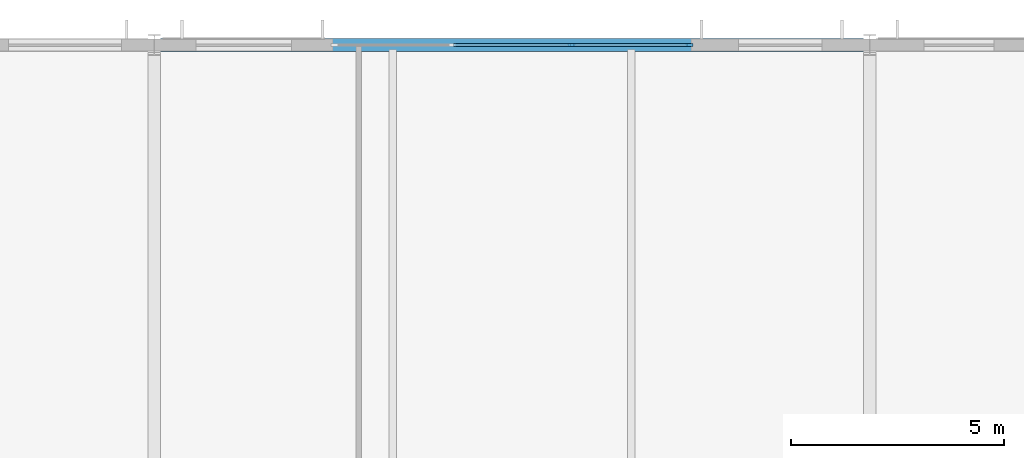
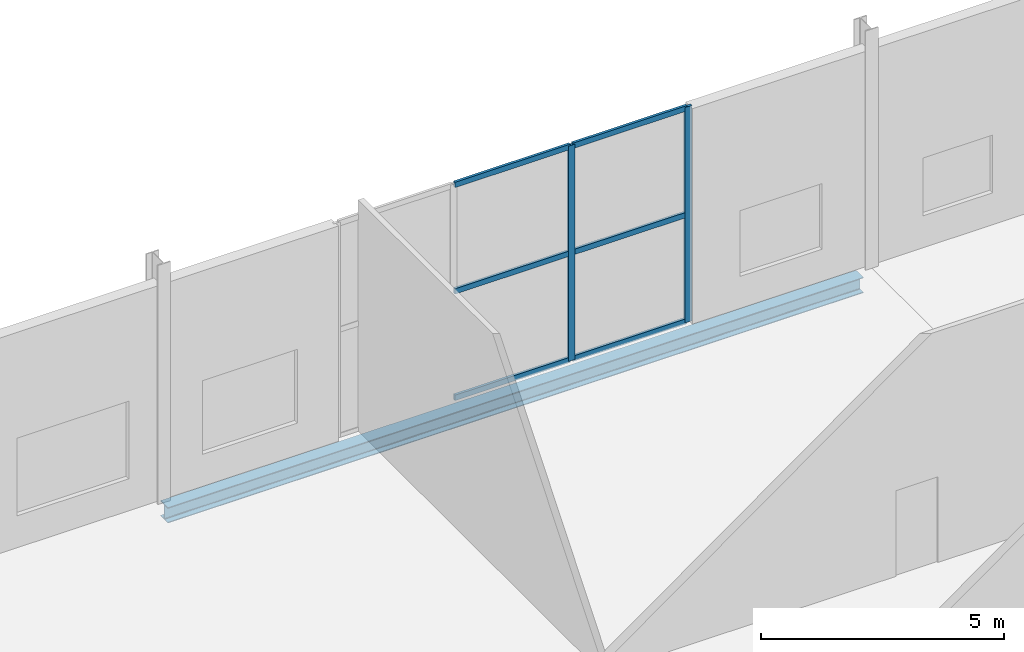
# One storey, part 32 of 100: 8 members, 1 beam, 1 element without a shape of its own.
"""IFC4 building model written with IfcOpenShell, lengths in metres."""

from ifc_helpers import new_model, si_unit, direction, frame, origin, origin_2d, place, context, subcontext, project, spatial, rectangle, i_section, extrude, material, material_profile, profile_set, type_object, element, aggregate, save


model = new_model("IFC4")

# Units and contexts
model_context = context("Model", 3, precision=1e-05, world=origin(), true_north=direction((0.0, 1.0)))
body_context = subcontext(model_context, "Body", "Model", "MODEL_VIEW")
ifc_project = project(units=[si_unit("LENGTHUNIT", "METRE"), si_unit("AREAUNIT", "SQUARE_METRE"), si_unit("VOLUMEUNIT", "CUBIC_METRE"), si_unit("PLANEANGLEUNIT", "RADIAN"), si_unit("MASSUNIT", "GRAM", prefix="KILO")], contexts=[model_context])

# Site, building, storey
site_placement = place(None, origin())
site = spatial("IfcSite", under=ifc_project, at=site_placement, CompositionType="ELEMENT")
building_placement = place(site_placement, origin())
building = spatial("IfcBuilding", under=site, at=building_placement, Name="Kimbaza Rail Terminus", CompositionType="ELEMENT")
storey_placement = place(building_placement, frame((0.0, 0.0, 10.800048828125)))
storey = spatial("IfcBuildingStorey", under=building, at=storey_placement, Name="L02", CompositionType="ELEMENT", Elevation=10.800048828125)

# Curtain wall, members
ifc_material_1 = material(Name="Anodised aluminium framing and solar low-E glazing", Category="aluminium")
curtain_wall_type = type_object("IfcCurtainWallType", Name="ARC-CW-OP1", PredefinedType="USERDEFINED", material=ifc_material_1)
curtain_wall_placement = place(storey_placement, origin())
curtain_wall = element("IfcCurtainWall", 1, at=curtain_wall_placement, inside=storey, type_object=curtain_wall_type, Name="Operations North Curtain Wall L02 Bay 2", ObjectType="UNITISED CURTAIN WALL", PredefinedType="USERDEFINED")
ifc_material_2 = material(Name="Anodised architectural aluminium", Category="aluminium")
ifc_material_profile_1 = material_profile(ifc_material_2, rectangle(XDim=0.06201171875, YDim=0.1650390625, at=origin_2d()), Name="MULLION 62x165")
ifc_profile_set_1 = profile_set([ifc_material_profile_1], Name="Anodised architectural aluminium")
member_type_1 = type_object("IfcMemberType", Name="ARC-CWM-05", PredefinedType="MULLION", material=ifc_profile_set_1)
member_1_placement = place(storey_placement, frame((81.800048828125, 133.0, 0.0), z_axis=(0.0, 0.0, 1.0), x_axis=(0.0, 1.0, 0.0)))
member_1 = element("IfcMember", 2, at=member_1_placement, type_object=member_type_1, Name="CW-05 mullion 3", PredefinedType="MULLION", context=body_context, shape_type="SweptSolid", body=[
    extrude(rectangle(XDim=0.06201171875, YDim=0.1650390625, at=origin_2d()), origin(), (0.0, 0.0, 1.0), 5.405029296875),
])
member_2_placement = place(storey_placement, frame((84.569091796875, 133.0, 0.0), z_axis=(0.0, 0.0, 1.0), x_axis=(0.0, 1.0, 0.0)))
member_2 = element("IfcMember", 3, at=member_2_placement, type_object=member_type_1, Name="CW-05 mullion 4", PredefinedType="MULLION", context=body_context, shape_type="SweptSolid", body=[
    extrude(rectangle(XDim=0.06201171875, YDim=0.1650390625, at=origin_2d()), origin(), (0.0, 0.0, 1.0), 5.405029296875),
])
ifc_material_3 = material(Name="Anodised architectural aluminium", Category="aluminium")
ifc_material_profile_2 = material_profile(ifc_material_3, rectangle(XDim=0.06201171875, YDim=0.135009765625, at=origin_2d()), Name="TRANSOM 62x135")
ifc_profile_set_2 = profile_set([ifc_material_profile_2], Name="Anodised architectural aluminium")
member_type_2 = type_object("IfcMemberType", Name="ARC-CWT-05", PredefinedType="USERDEFINED", material=ifc_profile_set_2)
member_3_placement = place(storey_placement, frame((79.031005859375, 133.0, 0.031005859375), z_axis=(1.0, 0.0, 0.0), x_axis=(0.0, 1.0, 0.0)))
member_3 = element("IfcMember", 4, at=member_3_placement, type_object=member_type_2, Name="CW-05 transom 2.1", ObjectType="TRANSOM", PredefinedType="USERDEFINED", context=body_context, shape_type="SweptSolid", body=[
    extrude(rectangle(XDim=0.06201171875, YDim=0.135009765625, at=origin_2d()), origin(), (0.0, 0.0, 1.0), 2.738037109375),
])
member_4_placement = place(storey_placement, frame((79.031005859375, 133.0, 2.702392578125), z_axis=(1.0, 0.0, 0.0), x_axis=(0.0, 1.0, 0.0)))
member_4 = element("IfcMember", 5, at=member_4_placement, type_object=member_type_2, Name="CW-05 transom 2.2", ObjectType="TRANSOM", PredefinedType="USERDEFINED", context=body_context, shape_type="SweptSolid", body=[
    extrude(rectangle(XDim=0.06201171875, YDim=0.135009765625, at=origin_2d()), origin(), (0.0, 0.0, 1.0), 2.738037109375),
])
member_5_placement = place(storey_placement, frame((79.031005859375, 133.0, 5.3740234375), z_axis=(1.0, 0.0, 0.0), x_axis=(0.0, 1.0, 0.0)))
member_5 = element("IfcMember", 6, at=member_5_placement, type_object=member_type_2, Name="CW-05 transom 2.3", ObjectType="TRANSOM", PredefinedType="USERDEFINED", context=body_context, shape_type="SweptSolid", body=[
    extrude(rectangle(XDim=0.06201171875, YDim=0.135009765625, at=origin_2d()), origin(), (0.0, 0.0, 1.0), 2.738037109375),
])
member_6_placement = place(storey_placement, frame((81.8310546875, 133.0, 0.031005859375), z_axis=(1.0, 0.0, 0.0), x_axis=(0.0, 1.0, 0.0)))
member_6 = element("IfcMember", 7, at=member_6_placement, type_object=member_type_2, Name="CW-05 transom 3.1", ObjectType="TRANSOM", PredefinedType="USERDEFINED", context=body_context, shape_type="SweptSolid", body=[
    extrude(rectangle(XDim=0.06201171875, YDim=0.135009765625, at=origin_2d()), origin(), (0.0, 0.0, 1.0), 2.70703125),
])
member_7_placement = place(storey_placement, frame((81.8310546875, 133.0, 2.702392578125), z_axis=(1.0, 0.0, 0.0), x_axis=(0.0, 1.0, 0.0)))
member_7 = element("IfcMember", 8, at=member_7_placement, type_object=member_type_2, Name="CW-05 transom 3.2", ObjectType="TRANSOM", PredefinedType="USERDEFINED", context=body_context, shape_type="SweptSolid", body=[
    extrude(rectangle(XDim=0.06201171875, YDim=0.135009765625, at=origin_2d()), origin(), (0.0, 0.0, 1.0), 2.70703125),
])
member_8_placement = place(storey_placement, frame((81.8310546875, 133.0, 5.3740234375), z_axis=(1.0, 0.0, 0.0), x_axis=(0.0, 1.0, 0.0)))
member_8 = element("IfcMember", 9, at=member_8_placement, type_object=member_type_2, Name="CW-05 transom 3.3", ObjectType="TRANSOM", PredefinedType="USERDEFINED", context=body_context, shape_type="SweptSolid", body=[
    extrude(rectangle(XDim=0.06201171875, YDim=0.135009765625, at=origin_2d()), origin(), (0.0, 0.0, 1.0), 2.70703125),
])
aggregate(curtain_wall, [member_1, member_2, member_3, member_4, member_5, member_6, member_7, member_8])

# Beam
ifc_material_4 = material(Name="Steel S355", Category="steel")
ifc_material_profile_3 = material_profile(ifc_material_4, i_section(OverallWidth=0.300048828125, OverallDepth=0.389892578125, WebThickness=0.010986328125, FlangeThickness=0.01904296875, FilletRadius=0.027099609375, at=origin_2d()), Name="HEA 400")
ifc_profile_set_3 = profile_set([ifc_material_profile_3], Name="Steel S355")
beam_type = type_object("IfcBeamType", Name="STR-BM-HEA400", PredefinedType="SPANDREL", material=ifc_profile_set_3)
beam_placement = place(storey_placement, frame((72.14599609375, 133.0, -0.43505859375), z_axis=(1.0, 0.0, 0.0), x_axis=(0.0, 1.0, 0.0)))
element("IfcBeam", 10, at=beam_placement, inside=storey, type_object=beam_type, Name="Operations Girder L02 X1-Y2", PredefinedType="SPANDREL", context=body_context, shape_type="SweptSolid", body=[
    extrude(i_section(OverallWidth=0.300048828125, OverallDepth=0.389892578125, WebThickness=0.010986328125, FlangeThickness=0.01904296875, FilletRadius=0.027099609375, at=origin_2d()), origin(), (0.0, 0.0, 1.0), 16.508056640625),
])

save(model, "model.ifc")
